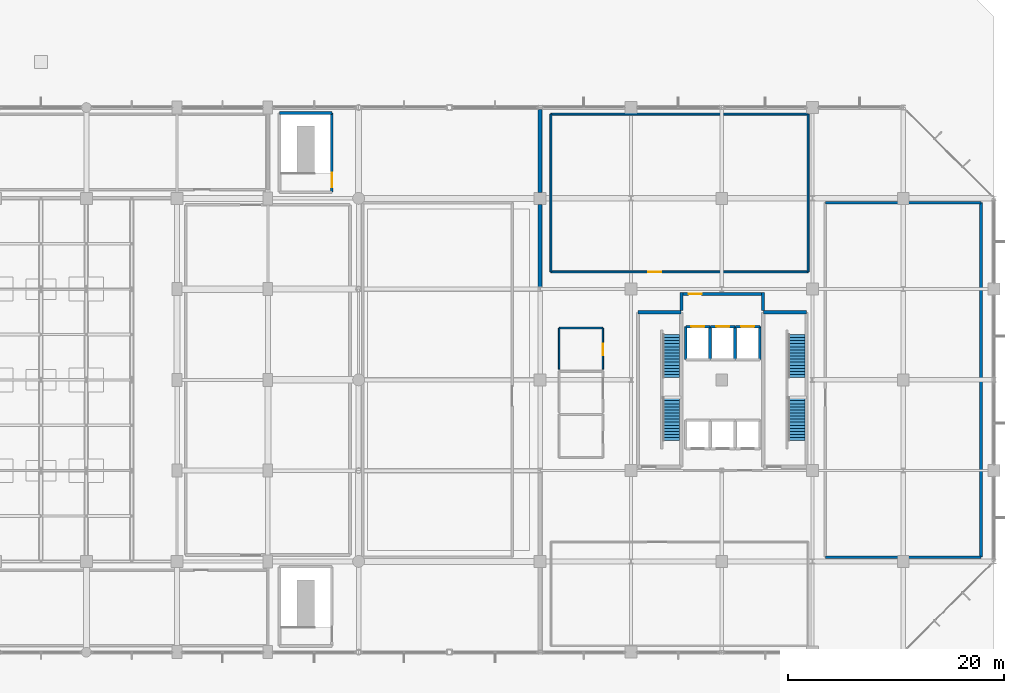
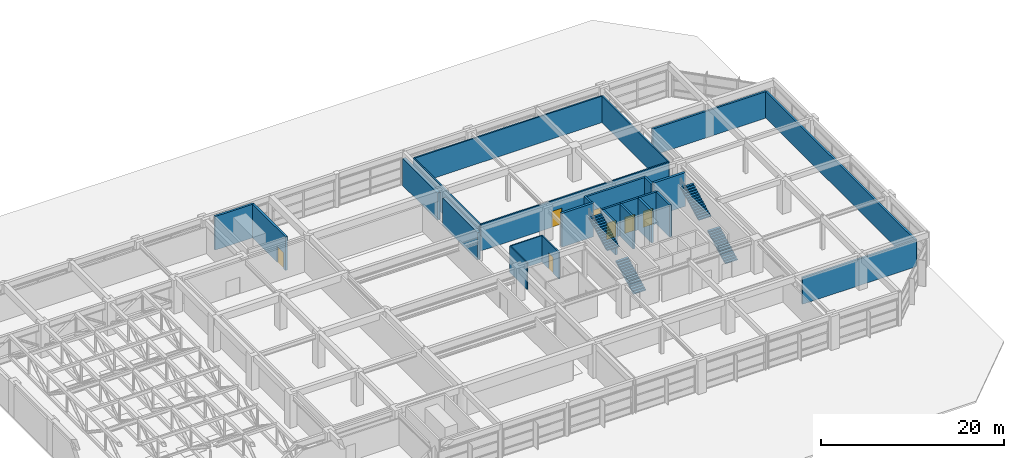
# One storey, part 43 of 47: 26 walls, 7 doors, 4 stair flights, 7 openings, 2 elements without a shape of their own.
"""IFC4 building model written with IfcOpenShell, lengths in metres."""

from ifc_helpers import new_model, si_unit, direction, frame, frame_2d, origin, place, context, subcontext, project, spatial, polyline, rectangle, outline, extrude, material, layer, layer_set, type_object, element, fill, aggregate, save


model = new_model("IFC4")

# Units and contexts
model_context = context("Model", 3, precision=1e-05, world=origin(), true_north=direction((0.0, 1.0)))
body_context = subcontext(model_context, "Body", "Model", "MODEL_VIEW")
ifc_project = project(units=[si_unit("LENGTHUNIT", "METRE"), si_unit("AREAUNIT", "SQUARE_METRE"), si_unit("VOLUMEUNIT", "CUBIC_METRE"), si_unit("PLANEANGLEUNIT", "RADIAN"), si_unit("MASSUNIT", "GRAM", prefix="KILO")], contexts=[model_context])

# Site, building, storey
site_placement = place(None, origin())
site = spatial("IfcSite", under=ifc_project, at=site_placement, CompositionType="ELEMENT")
building_placement = place(site_placement, origin())
building = spatial("IfcBuilding", under=site, at=building_placement, Name="Xuanlan Plaza Opera House", CompositionType="ELEMENT")
storey_placement = place(building_placement, frame((0.0, 0.0, 23.39990234375)))
storey = spatial("IfcBuildingStorey", under=building, at=storey_placement, Name="L05", CompositionType="ELEMENT", Elevation=23.39990234375)

# Walls
ifc_material_1 = material(Name="Gypsum Board and Galvanised Steel Studs", Category="gypsum")
ifc_layer_1 = layer(ifc_material_1, 0.239990234375)
ifc_layer_set_1 = layer_set([ifc_layer_1], Name="Gypsum Board and Galvanised Steel Studs")
wall_type_1 = type_object("IfcWallType", Name="INT-WL-PW-01", PredefinedType="PARTITIONING", material=ifc_layer_set_1)
for number, where, z_axis, x_axis, name in (
    (1, (152.39990234375, 42.39990234375, 0.0), (0.0, 0.0, 1.0), (1.0, 0.0, 0.0), "Resident Orchestra Ensemble Studio Wall South"),
    (2, (152.39990234375, 75.199951171875, 0.0), (0.0, 0.0, 1.0), (1.0, 0.0, 0.0), "Resident Orchestra Ensemble Studio Wall North"),
):
    element("IfcWall", number, at=place(storey_placement, frame(where, z_axis=z_axis, x_axis=x_axis)), inside=storey, type_object=wall_type_1, Name=name, PredefinedType="PARTITIONING", context=body_context, shape_type="SweptSolid", body=[
        extrude(rectangle(XDim=14.400146484375, YDim=0.239990234375, at=frame_2d((7.2001953125, 0.0))), origin(), (0.0, 0.0, 1.0), 3.5400390625),
    ])
wall_1_placement = place(storey_placement, frame((166.800048828125, 42.39990234375, 0.0), z_axis=(0.0, 0.0, 1.0), x_axis=(0.0, 1.0, 0.0)))
element("IfcWall", 3, at=wall_1_placement, inside=storey, type_object=wall_type_1, Name="Resident Orchestra Ensemble Studio Wall East", PredefinedType="PARTITIONING", context=body_context, shape_type="SweptSolid", body=[
    extrude(rectangle(XDim=32.800048828125, YDim=0.239990234375, at=frame_2d((16.39990234375, 0.0))), origin(), (0.0, 0.0, 1.0), 3.5400390625),
])

# Wall, opening, door
ifc_layer_2 = layer(ifc_material_1, 0.179931640625)
ifc_layer_set_2 = layer_set([ifc_layer_2], Name="Gypsum Board and Galvanised Steel Studs")
wall_type_2 = type_object("IfcWallType", Name="INT-WL-PW-02", PredefinedType="PARTITIONING", material=ifc_layer_set_2)
wall_2_placement = place(storey_placement, frame((127.0, 68.800048828125, 0.0), z_axis=(0.0, 0.0, 1.0), x_axis=(1.0, 0.0, 0.0)))
wall_2 = element("IfcWall", 4, at=wall_2_placement, inside=storey, type_object=wall_type_2, Name="Orchestral Instrument Archive Wall South", PredefinedType="PARTITIONING", context=body_context, shape_type="SweptSolid", body=[
    extrude(rectangle(XDim=23.800048828125, YDim=0.179931640625, at=frame_2d((11.89990234375, 0.0))), origin(), (0.0, 0.0, 1.0), 3.5400390625),
])
opening_1_placement = place(wall_2_placement, frame((9.0, 0.0, 0.0)))
opening_1 = element("IfcOpeningElement", 5, at=opening_1_placement, cuts=wall_2, Name="Opening D-05", PredefinedType="OPENING", context=body_context, shape_type="SweptSolid", body=[
    extrude(rectangle(XDim=1.219970703125, YDim=2.14990234375, at=frame_2d((0.60986328125, 1.074951171875))), frame((0.0, 0.099853515625, 0.0), z_axis=(0.0, -1.0, 0.0), x_axis=(1.0, 0.0, 0.0)), (0.0, 0.0, 1.0), 0.199951171875),
])
ifc_material_2 = material(Name="Walnut Hardwood Timber", Category="wood")
door_type_1 = type_object("IfcDoorType", Name="INT-DR-D-05", OperationType="NOTDEFINED", PredefinedType="DOOR", material=ifc_material_2)
door_1_placement = place(opening_1_placement, origin())
door_1 = element("IfcDoor", 6, at=door_1_placement, inside=storey, type_object=door_type_1, Name="Orchestral Instrument Archive Door 1", OperationType="SINGLE_SWING_LEFT", OverallHeight=2.14990234375, OverallWidth=1.219970703125, PredefinedType="DOOR", context=body_context, shape_type="SweptSolid", body=[
    extrude(rectangle(XDim=1.219970703125, YDim=2.14990234375, at=frame_2d((0.60986328125, 1.074951171875))), frame((0.0, 0.02490234375, 0.0), z_axis=(0.0, -1.0, 0.0), x_axis=(1.0, 0.0, 0.0)), (0.0, 0.0, 1.0), 0.050048828125),
])
fill(opening_1, door_1)

# Walls
wall_3_placement = place(storey_placement, frame((127.0, 83.39990234375, 0.0), z_axis=(0.0, 0.0, 1.0), x_axis=(1.0, 0.0, 0.0)))
element("IfcWall", 7, at=wall_3_placement, inside=storey, type_object=wall_type_2, Name="Orchestral Instrument Archive Wall North", PredefinedType="PARTITIONING", context=body_context, shape_type="SweptSolid", body=[
    extrude(rectangle(XDim=23.800048828125, YDim=0.179931640625, at=frame_2d((11.89990234375, 0.0))), origin(), (0.0, 0.0, 1.0), 3.5400390625),
])
for number, where, z_axis, x_axis, name in (
    (8, (127.0, 68.800048828125, 0.0), (0.0, 0.0, 1.0), (0.0, 1.0, 0.0), "Orchestral Instrument Archive Wall West"),
    (9, (150.800048828125, 68.800048828125, 0.0), (0.0, 0.0, 1.0), (0.0, 1.0, 0.0), "Orchestral Instrument Archive Wall East"),
):
    element("IfcWall", number, at=place(storey_placement, frame(where, z_axis=z_axis, x_axis=x_axis)), inside=storey, type_object=wall_type_2, Name=name, PredefinedType="PARTITIONING", context=body_context, shape_type="SweptSolid", body=[
        extrude(rectangle(XDim=14.599853515625, YDim=0.179931640625, at=frame_2d((7.2998046875, 0.0))), origin(), (0.0, 0.0, 1.0), 3.5400390625),
    ])
ifc_material_3 = material(Name="Autoclaved Aerated Blockwork Masonry", Category="masonry")
ifc_layer_3 = layer(ifc_material_3, 0.14990234375)
ifc_layer_set_3 = layer_set([ifc_layer_3], Name="Autoclaved Aerated Blockwork Masonry")
wall_type_3 = type_object("IfcWallType", Name="INT-WL-PW-03", PredefinedType="PARTITIONING", material=ifc_layer_set_3)
wall_4_placement = place(storey_placement, frame((127.75, 63.60009765625, 0.0), z_axis=(0.0, 0.0, 1.0), x_axis=(1.0, 0.0, 0.0)))
element("IfcWall", 10, at=wall_4_placement, inside=storey, type_object=wall_type_3, Name="Accessible WC Wall North", PredefinedType="PARTITIONING", context=body_context, shape_type="SweptSolid", body=[
    extrude(rectangle(XDim=4.050048828125, YDim=0.14990234375, at=frame_2d((2.02490234375, 0.0))), origin(), (0.0, 0.0, 1.0), 3.5400390625),
])
wall_5_placement = place(storey_placement, frame((127.75, 59.800048828125, 0.0), z_axis=(0.0, 0.0, 1.0), x_axis=(0.0, 1.0, 0.0)))
element("IfcWall", 11, at=wall_5_placement, inside=storey, type_object=wall_type_3, Name="Accessible WC Wall West", PredefinedType="PARTITIONING", context=body_context, shape_type="SweptSolid", body=[
    extrude(rectangle(XDim=3.800048828125, YDim=0.14990234375, at=frame_2d((1.89990234375, 0.0))), origin(), (0.0, 0.0, 1.0), 3.5400390625),
])

# Wall, opening, door
wall_6_placement = place(storey_placement, frame((131.800048828125, 59.800048828125, 0.0), z_axis=(0.0, 0.0, 1.0), x_axis=(0.0, 1.0, 0.0)))
wall_6 = element("IfcWall", 12, at=wall_6_placement, inside=storey, type_object=wall_type_3, Name="Accessible WC Wall East", PredefinedType="PARTITIONING", context=body_context, shape_type="SweptSolid", body=[
    extrude(rectangle(XDim=3.800048828125, YDim=0.14990234375, at=frame_2d((1.89990234375, 0.0))), origin(), (0.0, 0.0, 1.0), 3.5400390625),
])
opening_2_placement = place(wall_6_placement, frame((1.300048828125, 0.0, 0.0)))
opening_2 = element("IfcOpeningElement", 13, at=opening_2_placement, cuts=wall_6, Name="Opening D-02", PredefinedType="OPENING", context=body_context, shape_type="SweptSolid", body=[
    extrude(rectangle(XDim=1.02001953125, YDim=2.10009765625, at=frame_2d((0.510009765625, 1.050048828125))), frame((0.0, 0.0849609375, 0.0), z_axis=(0.0, -1.0, 0.0), x_axis=(1.0, 0.0, 0.0)), (0.0, 0.0, 1.0), 0.169921875),
])
ifc_material_4 = material(Name="Oak Hardwood Timber", Category="wood")
door_type_2 = type_object("IfcDoorType", Name="INT-DR-D-02", OperationType="NOTDEFINED", PredefinedType="DOOR", material=ifc_material_4)
door_2_placement = place(opening_2_placement, origin())
door_2 = element("IfcDoor", 14, at=door_2_placement, inside=storey, type_object=door_type_2, Name="Accessible WC Door 1", OperationType="SINGLE_SWING_RIGHT", OverallHeight=2.10009765625, OverallWidth=1.02001953125, PredefinedType="DOOR", context=body_context, shape_type="SweptSolid", body=[
    extrude(rectangle(XDim=1.02001953125, YDim=2.10009765625, at=frame_2d((0.510009765625, 1.050048828125))), frame((0.0, 0.02490234375, 0.0), z_axis=(0.0, -1.0, 0.0), x_axis=(1.0, 0.0, 0.0)), (0.0, 0.0, 1.0), 0.050048828125),
])
fill(opening_2, door_2)

# Walls
ifc_material_5 = material(Name="Concrete C50", Category="concrete")
ifc_layer_4 = layer(ifc_material_5, 0.3798828125)
ifc_layer_set_4 = layer_set([ifc_layer_4], Name="Concrete C50")
wall_type_4 = type_object("IfcWallType", Name="INT-WL-SW-FW1", PredefinedType="SHEAR", material=ifc_layer_set_4)
for number, where, z_axis, x_axis, name in (
    (15, (126.0, 67.39990234375, 0.0), (0.0, 0.0, 1.0), (0.0, 1.0, 0.0), "Opera-Tower Compartment Firewall L05-03"),
    (16, (126.0, 76.14990234375, 0.0), (0.0, 0.0, 1.0), (0.0, 1.0, 0.0), "Opera-Tower Compartment Firewall L05-04"),
):
    element("IfcWall", number, at=place(storey_placement, frame(where, z_axis=z_axis, x_axis=x_axis)), inside=storey, type_object=wall_type_4, Name=name, PredefinedType="SHEAR", context=body_context, shape_type="SweptSolid", body=[
        extrude(rectangle(XDim=7.650146484375, YDim=0.3798828125, at=frame_2d((3.8251953125, 0.0))), origin(), (0.0, 0.0, 1.0), 3.650146484375),
    ])

# Wall, opening, door
ifc_material_6 = material(Name="Concrete C40", Category="concrete")
ifc_layer_5 = layer(ifc_material_6, 0.25)
ifc_layer_set_5 = layer_set([ifc_layer_5], Name="Concrete C40")
wall_type_5 = type_object("IfcWallType", Name="INT-WL-SW-LF1", PredefinedType="SHEAR", material=ifc_layer_set_5)
wall_7_placement = place(storey_placement, frame((139.47509765625, 63.72509765625, 0.0), z_axis=(0.0, 0.0, 1.0), x_axis=(1.0, 0.0, 0.0)))
wall_7 = element("IfcWall", 17, at=wall_7_placement, inside=storey, type_object=wall_type_5, Name="Lift Shaft Wall LF-FF1 L05 North", PredefinedType="SHEAR", context=body_context, shape_type="SweptSolid", body=[
    extrude(rectangle(XDim=2.25, YDim=0.25, at=frame_2d((1.125, 0.0))), origin(), (0.0, 0.0, 1.0), 4.260009765625),
])
opening_3_placement = place(wall_7_placement, frame((0.52490234375, 0.0, 0.0)))
opening_3 = element("IfcOpeningElement", 18, at=opening_3_placement, cuts=wall_7, Name="Opening LD-FF1-L05", PredefinedType="OPENING", context=body_context, shape_type="SweptSolid", body=[
    extrude(rectangle(XDim=1.199951171875, YDim=2.179931640625, at=frame_2d((0.60009765625, 1.08984375))), frame((0.0, 0.135009765625, 0.0), z_axis=(0.0, -1.0, 0.0), x_axis=(1.0, 0.0, 0.0)), (0.0, 0.0, 1.0), 0.27001953125),
])
ifc_material_7 = material(Name="Stainless Steel S30408", Category="steel")
door_type_3 = type_object("IfcDoorType", Name="INT-DR-LD-02", OperationType="DOUBLE_DOOR_SLIDING", PredefinedType="DOOR", material=ifc_material_7)
door_3_placement = place(opening_3_placement, origin())
door_3 = element("IfcDoor", 19, at=door_3_placement, inside=storey, type_object=door_type_3, Name="Lift Sliding Landing Door LF-FF1 L05", OperationType="DOUBLE_DOOR_SLIDING", OverallHeight=2.179931640625, OverallWidth=1.199951171875, PredefinedType="DOOR", context=body_context, shape_type="SweptSolid", body=[
    extrude(rectangle(XDim=1.199951171875, YDim=2.179931640625, at=frame_2d((0.60009765625, 1.08984375))), frame((0.0, 0.02490234375, 0.0), z_axis=(0.0, -1.0, 0.0), x_axis=(1.0, 0.0, 0.0)), (0.0, 0.0, 1.0), 0.050048828125),
])
fill(opening_3, door_3)

# Walls
for number, where, z_axis, x_axis, name in (
    (20, (139.47509765625, 60.675048828125, 0.0), (0.0, 0.0, 1.0), (0.0, 1.0, 0.0), "Lift Shaft Wall LF-FF1 L05 West"),
    (21, (141.72509765625, 60.675048828125, 0.0), (0.0, 0.0, 1.0), (0.0, 1.0, 0.0), "Lift Shaft Wall LF-FF1 L05 East"),
):
    element("IfcWall", number, at=place(storey_placement, frame(where, z_axis=z_axis, x_axis=x_axis)), inside=storey, type_object=wall_type_5, Name=name, PredefinedType="SHEAR", context=body_context, shape_type="SweptSolid", body=[
        extrude(rectangle(XDim=3.050048828125, YDim=0.25, at=frame_2d((1.52490234375, 0.0))), origin(), (0.0, 0.0, 1.0), 4.260009765625),
    ])

# Wall, opening, door
wall_8_placement = place(storey_placement, frame((141.77490234375, 63.72509765625, 0.0), z_axis=(0.0, 0.0, 1.0), x_axis=(1.0, 0.0, 0.0)))
wall_8 = element("IfcWall", 22, at=wall_8_placement, inside=storey, type_object=wall_type_5, Name="Lift Shaft Wall LF-FF2 L05 North", PredefinedType="SHEAR", context=body_context, shape_type="SweptSolid", body=[
    extrude(rectangle(XDim=2.25, YDim=0.25, at=frame_2d((1.125, 0.0))), origin(), (0.0, 0.0, 1.0), 4.260009765625),
])
opening_4_placement = place(wall_8_placement, frame((0.52490234375, 0.0, 0.0)))
opening_4 = element("IfcOpeningElement", 23, at=opening_4_placement, cuts=wall_8, Name="Opening LD-FF2-L05", PredefinedType="OPENING", context=body_context, shape_type="SweptSolid", body=[
    extrude(rectangle(XDim=1.199951171875, YDim=2.179931640625, at=frame_2d((0.60009765625, 1.08984375))), frame((0.0, 0.135009765625, 0.0), z_axis=(0.0, -1.0, 0.0), x_axis=(1.0, 0.0, 0.0)), (0.0, 0.0, 1.0), 0.27001953125),
])
door_4_placement = place(opening_4_placement, origin())
door_4 = element("IfcDoor", 24, at=door_4_placement, inside=storey, type_object=door_type_3, Name="Lift Sliding Landing Door LF-FF2 L05", OperationType="DOUBLE_DOOR_SLIDING", OverallHeight=2.179931640625, OverallWidth=1.199951171875, PredefinedType="DOOR", context=body_context, shape_type="SweptSolid", body=[
    extrude(rectangle(XDim=1.199951171875, YDim=2.179931640625, at=frame_2d((0.60009765625, 1.08984375))), frame((0.0, 0.02490234375, 0.0), z_axis=(0.0, -1.0, 0.0), x_axis=(1.0, 0.0, 0.0)), (0.0, 0.0, 1.0), 0.050048828125),
])
fill(opening_4, door_4)

# Wall
wall_9_placement = place(storey_placement, frame((144.02490234375, 60.675048828125, 0.0), z_axis=(0.0, 0.0, 1.0), x_axis=(0.0, 1.0, 0.0)))
element("IfcWall", 25, at=wall_9_placement, inside=storey, type_object=wall_type_5, Name="Lift Shaft Wall LF-FF2 L05 East", PredefinedType="SHEAR", context=body_context, shape_type="SweptSolid", body=[
    extrude(rectangle(XDim=3.050048828125, YDim=0.25, at=frame_2d((1.52490234375, 0.0))), origin(), (0.0, 0.0, 1.0), 4.260009765625),
])

# Wall, opening, door
wall_10_placement = place(storey_placement, frame((144.074951171875, 63.72509765625, 0.0), z_axis=(0.0, 0.0, 1.0), x_axis=(1.0, 0.0, 0.0)))
wall_10 = element("IfcWall", 26, at=wall_10_placement, inside=storey, type_object=wall_type_5, Name="Lift Shaft Wall LF-FF3 L05 North", PredefinedType="SHEAR", context=body_context, shape_type="SweptSolid", body=[
    extrude(rectangle(XDim=2.25, YDim=0.25, at=frame_2d((1.125, 0.0))), origin(), (0.0, 0.0, 1.0), 4.260009765625),
])
opening_5_placement = place(wall_10_placement, frame((0.52490234375, 0.0, 0.0)))
opening_5 = element("IfcOpeningElement", 27, at=opening_5_placement, cuts=wall_10, Name="Opening LD-FF3-L05", PredefinedType="OPENING", context=body_context, shape_type="SweptSolid", body=[
    extrude(rectangle(XDim=1.199951171875, YDim=2.179931640625, at=frame_2d((0.60009765625, 1.08984375))), frame((0.0, 0.135009765625, 0.0), z_axis=(0.0, -1.0, 0.0), x_axis=(1.0, 0.0, 0.0)), (0.0, 0.0, 1.0), 0.27001953125),
])
door_5_placement = place(opening_5_placement, origin())
door_5 = element("IfcDoor", 28, at=door_5_placement, inside=storey, type_object=door_type_3, Name="Lift Sliding Landing Door LF-FF3 L05", OperationType="DOUBLE_DOOR_SLIDING", OverallHeight=2.179931640625, OverallWidth=1.199951171875, PredefinedType="DOOR", context=body_context, shape_type="SweptSolid", body=[
    extrude(rectangle(XDim=1.199951171875, YDim=2.179931640625, at=frame_2d((0.60009765625, 1.08984375))), frame((0.0, 0.02490234375, 0.0), z_axis=(0.0, -1.0, 0.0), x_axis=(1.0, 0.0, 0.0)), (0.0, 0.0, 1.0), 0.050048828125),
])
fill(opening_5, door_5)

# Walls
wall_11_placement = place(storey_placement, frame((146.324951171875, 60.675048828125, 0.0), z_axis=(0.0, 0.0, 1.0), x_axis=(0.0, 1.0, 0.0)))
element("IfcWall", 29, at=wall_11_placement, inside=storey, type_object=wall_type_5, Name="Lift Shaft Wall LF-FF3 L05 East", PredefinedType="SHEAR", context=body_context, shape_type="SweptSolid", body=[
    extrude(rectangle(XDim=3.050048828125, YDim=0.25, at=frame_2d((1.52490234375, 0.0))), origin(), (0.0, 0.0, 1.0), 4.260009765625),
])
for number, where, z_axis, x_axis, name in (
    (30, (139.074951171875, 65.199951171875, 0.0), (0.0, 0.0, 1.0), (0.0, 1.0, 0.0), "Firefighting Lift Lobby Enclosure Wall L05 W"),
    (31, (146.625, 65.199951171875, 0.0), (0.0, 0.0, 1.0), (0.0, 1.0, 0.0), "Firefighting Lift Lobby Enclosure Wall L05 E"),
):
    element("IfcWall", number, at=place(storey_placement, frame(where, z_axis=z_axis, x_axis=x_axis)), inside=storey, type_object=wall_type_5, Name=name, PredefinedType="SHEAR", context=body_context, shape_type="SweptSolid", body=[
        extrude(rectangle(XDim=1.675048828125, YDim=0.25, at=frame_2d((0.83740234375, 0.0))), origin(), (0.0, 0.0, 1.0), 4.260009765625),
    ])

# Wall, opening, door
wall_12_placement = place(storey_placement, frame((139.199951171875, 66.75, 0.0), z_axis=(0.0, 0.0, 1.0), x_axis=(1.0, 0.0, 0.0)))
wall_12 = element("IfcWall", 32, at=wall_12_placement, inside=storey, type_object=wall_type_5, Name="Firefighting Lift Lobby Wall North", PredefinedType="SHEAR", context=body_context, shape_type="SweptSolid", body=[
    extrude(rectangle(XDim=7.300048828125, YDim=0.25, at=frame_2d((3.64990234375, 0.0))), origin(), (0.0, 0.0, 1.0), 4.260009765625),
])
opening_6_placement = place(wall_12_placement, frame((0.550048828125, 0.0, 0.0)))
opening_6 = element("IfcOpeningElement", 33, at=opening_6_placement, cuts=wall_12, Name="Opening FD-02", PredefinedType="OPENING", context=body_context, shape_type="SweptSolid", body=[
    extrude(rectangle(XDim=1.199951171875, YDim=2.14990234375, at=frame_2d((0.60009765625, 1.074951171875))), frame((0.0, 0.135009765625, 0.0), z_axis=(0.0, -1.0, 0.0), x_axis=(1.0, 0.0, 0.0)), (0.0, 0.0, 1.0), 0.27001953125),
])
ifc_material_8 = material(Name="Galvanised Steel Q235B", Category="steel")
door_type_4 = type_object("IfcDoorType", Name="INT-DR-FD-02", OperationType="NOTDEFINED", PredefinedType="DOOR", material=ifc_material_8)
door_6_placement = place(opening_6_placement, origin())
door_6 = element("IfcDoor", 34, at=door_6_placement, inside=storey, type_object=door_type_4, Name="Firefighting Lift Lobby Door 1", OperationType="SINGLE_SWING_RIGHT", OverallHeight=2.14990234375, OverallWidth=1.199951171875, PredefinedType="DOOR", context=body_context, shape_type="SweptSolid", body=[
    extrude(rectangle(XDim=1.199951171875, YDim=2.14990234375, at=frame_2d((0.60009765625, 1.074951171875))), frame((0.0, 0.02490234375, 0.0), z_axis=(0.0, -1.0, 0.0), x_axis=(1.0, 0.0, 0.0)), (0.0, 0.0, 1.0), 0.050048828125),
])
fill(opening_6, door_6)

# Walls
ifc_layer_6 = layer(ifc_material_6, 0.300048828125)
ifc_layer_set_6 = layer_set([ifc_layer_6], Name="Concrete C40")
wall_type_6 = type_object("IfcWallType", Name="INT-WL-SW-ST1", PredefinedType="SHEAR", material=ifc_layer_set_6)
for number, where, z_axis, x_axis, name in (
    (35, (135.050048828125, 65.050048828125, 0.0), (0.0, 0.0, 1.0), (1.0, 0.0, 0.0), "Stair Core Wall ST-T1 L05 North"),
    (36, (146.64990234375, 65.050048828125, 0.0), (0.0, 0.0, 1.0), (1.0, 0.0, 0.0), "Stair Core Wall ST-T2 L05 North"),
):
    element("IfcWall", number, at=place(storey_placement, frame(where, z_axis=z_axis, x_axis=x_axis)), inside=storey, type_object=wall_type_6, Name=name, PredefinedType="SHEAR", context=body_context, shape_type="SweptSolid", body=[
        extrude(rectangle(XDim=4.0, YDim=0.300048828125, at=frame_2d((2.0, 0.0))), origin(), (0.0, 0.0, 1.0), 4.5),
    ])
ifc_layer_7 = layer(ifc_material_6, 0.25)
ifc_layer_set_7 = layer_set([ifc_layer_7], Name="Concrete C40")
wall_type_7 = type_object("IfcWallType", Name="INT-WL-SW-ST2", PredefinedType="SHEAR", material=ifc_layer_set_7)
wall_13_placement = place(storey_placement, frame((101.875, 83.5048828125, 0.0), z_axis=(0.0, 0.0, 1.0), x_axis=(1.0, 0.0, 0.0)))
element("IfcWall", 37, at=wall_13_placement, inside=storey, type_object=wall_type_7, Name="Stair Core Wall ST-F2 L05 North", PredefinedType="SHEAR", context=body_context, shape_type="SweptSolid", body=[
    extrude(rectangle(XDim=4.85009765625, YDim=0.25, at=frame_2d((2.425048828125, 0.0))), origin(), (0.0, 0.0, 1.0), 4.5),
])

# Wall, opening, door
wall_14_placement = place(storey_placement, frame((106.72509765625, 76.175048828125, 0.0), z_axis=(0.0, 0.0, 1.0), x_axis=(0.0, 1.0, 0.0)))
wall_14 = element("IfcWall", 38, at=wall_14_placement, inside=storey, type_object=wall_type_7, Name="Stair Core Wall ST-F2 L05 East", PredefinedType="SHEAR", context=body_context, shape_type="SweptSolid", body=[
    extrude(rectangle(XDim=7.329833984375, YDim=0.25, at=frame_2d((3.6650390625, 0.0))), origin(), (0.0, 0.0, 1.0), 4.5),
])
opening_7_placement = place(wall_14_placement, frame((0.449951171875, 0.0, 0.0)))
opening_7 = element("IfcOpeningElement", 39, at=opening_7_placement, cuts=wall_14, Name="Opening FD-ST2", PredefinedType="OPENING", context=body_context, shape_type="SweptSolid", body=[
    extrude(rectangle(XDim=1.35009765625, YDim=2.14990234375, at=frame_2d((0.675048828125, 1.074951171875))), frame((0.0, 0.135009765625, 0.0), z_axis=(0.0, -1.0, 0.0), x_axis=(1.0, 0.0, 0.0)), (0.0, 0.0, 1.0), 0.27001953125),
])
door_type_5 = type_object("IfcDoorType", Name="INT-DR-FD-ST2", OperationType="NOTDEFINED", PredefinedType="DOOR", material=ifc_material_8)
door_7_placement = place(opening_7_placement, origin())
door_7 = element("IfcDoor", 40, at=door_7_placement, inside=storey, type_object=door_type_5, Name="Stair Enclosure Fire Door ST-F2 L05", OperationType="SINGLE_SWING_RIGHT", OverallHeight=2.14990234375, OverallWidth=1.35009765625, PredefinedType="DOOR", context=body_context, shape_type="SweptSolid", body=[
    extrude(rectangle(XDim=1.35009765625, YDim=2.14990234375, at=frame_2d((0.675048828125, 1.074951171875))), frame((0.0, 0.02490234375, 0.0), z_axis=(0.0, -1.0, 0.0), x_axis=(1.0, 0.0, 0.0)), (0.0, 0.0, 1.0), 0.050048828125),
])
fill(opening_7, door_7)

# Stair, stair flights
stair_type = type_object("IfcStairType", Name="INT-ST-STR-T155", PredefinedType="STRAIGHT_RUN_STAIR", material=ifc_material_6)
stair_1_placement = place(storey_placement, origin())
stair_1 = element("IfcStair", 41, at=stair_1_placement, inside=storey, type_object=stair_type, Name="Protected Exit Stair ST-T1 L05", PredefinedType="STRAIGHT_RUN_STAIR")
ifc_layer_8 = layer(ifc_material_6, 0.159912109375)
ifc_layer_set_8 = layer_set([ifc_layer_8], Name="Concrete C40")
stair_flight_type = type_object("IfcStairFlightType", Name="INT-FL-FL-155", PredefinedType="STRAIGHT", material=ifc_layer_set_8)
stair_flight_1_placement = place(storey_placement, frame((138.125, 53.169921875, 0.0), z_axis=(0.0, 0.0, 1.0), x_axis=(0.0, 1.0, 0.0)))
stair_flight_1 = element("IfcStairFlight", 42, at=stair_flight_1_placement, type_object=stair_flight_type, Name="ST-T1-L05 flight 1", NumberOfRisers=15, NumberOfTreads=14, PredefinedType="STRAIGHT", RiserHeight=0.15, TreadLength=0.285, context=body_context, shape_type="SweptSolid", body=[
    extrude(outline(polyline([(0.0, 0.0), (0.0, 0.14990234375), (0.284912109375, 0.14990234375), (0.284912109375, 0.300048828125), (0.570068359375, 0.300048828125), (0.570068359375, 0.449951171875), (0.85498046875, 0.449951171875), (0.85498046875, 0.60009765625), (1.139892578125, 0.60009765625), (1.139892578125, 0.75), (1.425048828125, 0.75), (1.425048828125, 0.89990234375), (1.7099609375, 0.89990234375), (1.7099609375, 1.050048828125), (1.9951171875, 1.050048828125), (1.9951171875, 1.199951171875), (2.280029296875, 1.199951171875), (2.280029296875, 1.35009765625), (2.56494140625, 1.35009765625), (2.56494140625, 1.5), (2.85009765625, 1.5), (2.85009765625, 1.64990234375), (3.135009765625, 1.64990234375), (3.135009765625, 1.800048828125), (3.419921875, 1.800048828125), (3.419921875, 1.949951171875), (3.705078125, 1.949951171875), (3.705078125, 2.10009765625), (3.989990234375, 2.10009765625), (3.989990234375, 2.25), (3.989990234375, 1.919189453125), (0.34326171875, 0.0), (0.0, 0.0)])), frame((0.0, 0.77490234375, 0.0), z_axis=(0.0, -1.0, 0.0), x_axis=(1.0, 0.0, 0.0)), (0.0, 0.0, 1.0), 1.550048828125),
])
stair_flight_2_placement = place(storey_placement, frame((138.125, 59.010009765625, 2.25), z_axis=(0.0, 0.0, 1.0), x_axis=(0.0, 1.0, 0.0)))
stair_flight_2 = element("IfcStairFlight", 43, at=stair_flight_2_placement, type_object=stair_flight_type, Name="ST-T1-L05 flight 2", NumberOfRisers=15, NumberOfTreads=14, PredefinedType="STRAIGHT", RiserHeight=0.15, TreadLength=0.285, context=body_context, shape_type="SweptSolid", body=[
    extrude(outline(polyline([(0.0, 0.0), (0.0, 0.14990234375), (0.284912109375, 0.14990234375), (0.284912109375, 0.300048828125), (0.570068359375, 0.300048828125), (0.570068359375, 0.449951171875), (0.85498046875, 0.449951171875), (0.85498046875, 0.60009765625), (1.139892578125, 0.60009765625), (1.139892578125, 0.75), (1.425048828125, 0.75), (1.425048828125, 0.89990234375), (1.7099609375, 0.89990234375), (1.7099609375, 1.050048828125), (1.9951171875, 1.050048828125), (1.9951171875, 1.199951171875), (2.280029296875, 1.199951171875), (2.280029296875, 1.35009765625), (2.56494140625, 1.35009765625), (2.56494140625, 1.5), (2.85009765625, 1.5), (2.85009765625, 1.64990234375), (3.135009765625, 1.64990234375), (3.135009765625, 1.800048828125), (3.419921875, 1.800048828125), (3.419921875, 1.949951171875), (3.705078125, 1.949951171875), (3.705078125, 2.10009765625), (3.989990234375, 2.10009765625), (3.989990234375, 2.25), (3.989990234375, 1.919189453125), (0.34326171875, 0.0), (0.0, 0.0)])), frame((0.0, 0.77490234375, 0.0), z_axis=(0.0, -1.0, 0.0), x_axis=(1.0, 0.0, 0.0)), (0.0, 0.0, 1.0), 1.550048828125),
])
aggregate(stair_1, [stair_flight_1, stair_flight_2])

stair_2_placement = place(storey_placement, origin())
stair_2 = element("IfcStair", 44, at=stair_2_placement, inside=storey, type_object=stair_type, Name="Protected Exit Stair ST-T2 L05", PredefinedType="STRAIGHT_RUN_STAIR")
stair_flight_3_placement = place(storey_placement, frame((149.72509765625, 53.169921875, 0.0), z_axis=(0.0, 0.0, 1.0), x_axis=(0.0, 1.0, 0.0)))
stair_flight_3 = element("IfcStairFlight", 45, at=stair_flight_3_placement, type_object=stair_flight_type, Name="ST-T2-L05 flight 1", NumberOfRisers=15, NumberOfTreads=14, PredefinedType="STRAIGHT", RiserHeight=0.15, TreadLength=0.285, context=body_context, shape_type="SweptSolid", body=[
    extrude(outline(polyline([(0.0, 0.0), (0.0, 0.14990234375), (0.284912109375, 0.14990234375), (0.284912109375, 0.300048828125), (0.570068359375, 0.300048828125), (0.570068359375, 0.449951171875), (0.85498046875, 0.449951171875), (0.85498046875, 0.60009765625), (1.139892578125, 0.60009765625), (1.139892578125, 0.75), (1.425048828125, 0.75), (1.425048828125, 0.89990234375), (1.7099609375, 0.89990234375), (1.7099609375, 1.050048828125), (1.9951171875, 1.050048828125), (1.9951171875, 1.199951171875), (2.280029296875, 1.199951171875), (2.280029296875, 1.35009765625), (2.56494140625, 1.35009765625), (2.56494140625, 1.5), (2.85009765625, 1.5), (2.85009765625, 1.64990234375), (3.135009765625, 1.64990234375), (3.135009765625, 1.800048828125), (3.419921875, 1.800048828125), (3.419921875, 1.949951171875), (3.705078125, 1.949951171875), (3.705078125, 2.10009765625), (3.989990234375, 2.10009765625), (3.989990234375, 2.25), (3.989990234375, 1.919189453125), (0.34326171875, 0.0), (0.0, 0.0)])), frame((0.0, 0.77490234375, 0.0), z_axis=(0.0, -1.0, 0.0), x_axis=(1.0, 0.0, 0.0)), (0.0, 0.0, 1.0), 1.550048828125),
])
stair_flight_4_placement = place(storey_placement, frame((149.72509765625, 59.010009765625, 2.25), z_axis=(0.0, 0.0, 1.0), x_axis=(0.0, 1.0, 0.0)))
stair_flight_4 = element("IfcStairFlight", 46, at=stair_flight_4_placement, type_object=stair_flight_type, Name="ST-T2-L05 flight 2", NumberOfRisers=15, NumberOfTreads=14, PredefinedType="STRAIGHT", RiserHeight=0.15, TreadLength=0.285, context=body_context, shape_type="SweptSolid", body=[
    extrude(outline(polyline([(0.0, 0.0), (0.0, 0.14990234375), (0.284912109375, 0.14990234375), (0.284912109375, 0.300048828125), (0.570068359375, 0.300048828125), (0.570068359375, 0.449951171875), (0.85498046875, 0.449951171875), (0.85498046875, 0.60009765625), (1.139892578125, 0.60009765625), (1.139892578125, 0.75), (1.425048828125, 0.75), (1.425048828125, 0.89990234375), (1.7099609375, 0.89990234375), (1.7099609375, 1.050048828125), (1.9951171875, 1.050048828125), (1.9951171875, 1.199951171875), (2.280029296875, 1.199951171875), (2.280029296875, 1.35009765625), (2.56494140625, 1.35009765625), (2.56494140625, 1.5), (2.85009765625, 1.5), (2.85009765625, 1.64990234375), (3.135009765625, 1.64990234375), (3.135009765625, 1.800048828125), (3.419921875, 1.800048828125), (3.419921875, 1.949951171875), (3.705078125, 1.949951171875), (3.705078125, 2.10009765625), (3.989990234375, 2.10009765625), (3.989990234375, 2.25), (3.989990234375, 1.919189453125), (0.34326171875, 0.0), (0.0, 0.0)])), frame((0.0, 0.77490234375, 0.0), z_axis=(0.0, -1.0, 0.0), x_axis=(1.0, 0.0, 0.0)), (0.0, 0.0, 1.0), 1.550048828125),
])
aggregate(stair_2, [stair_flight_3, stair_flight_4])

save(model, "model.ifc")
